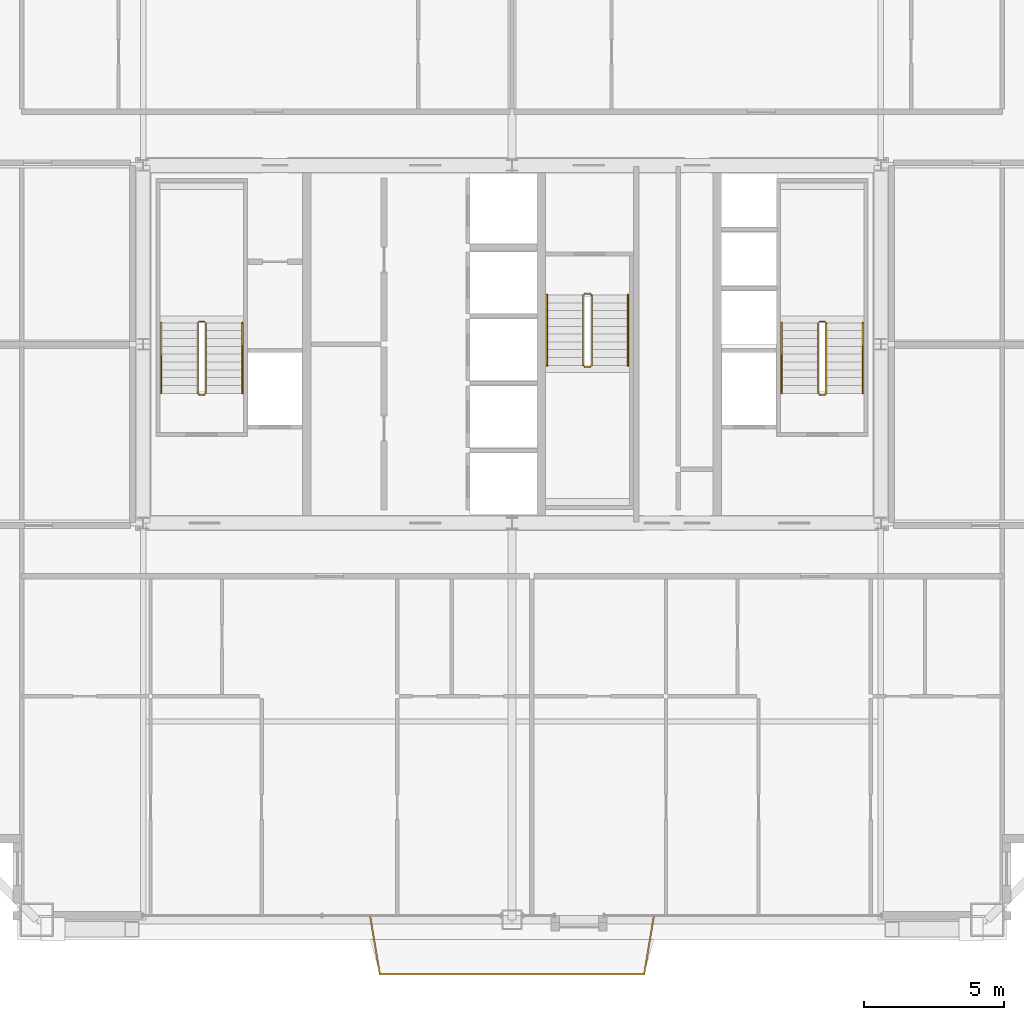
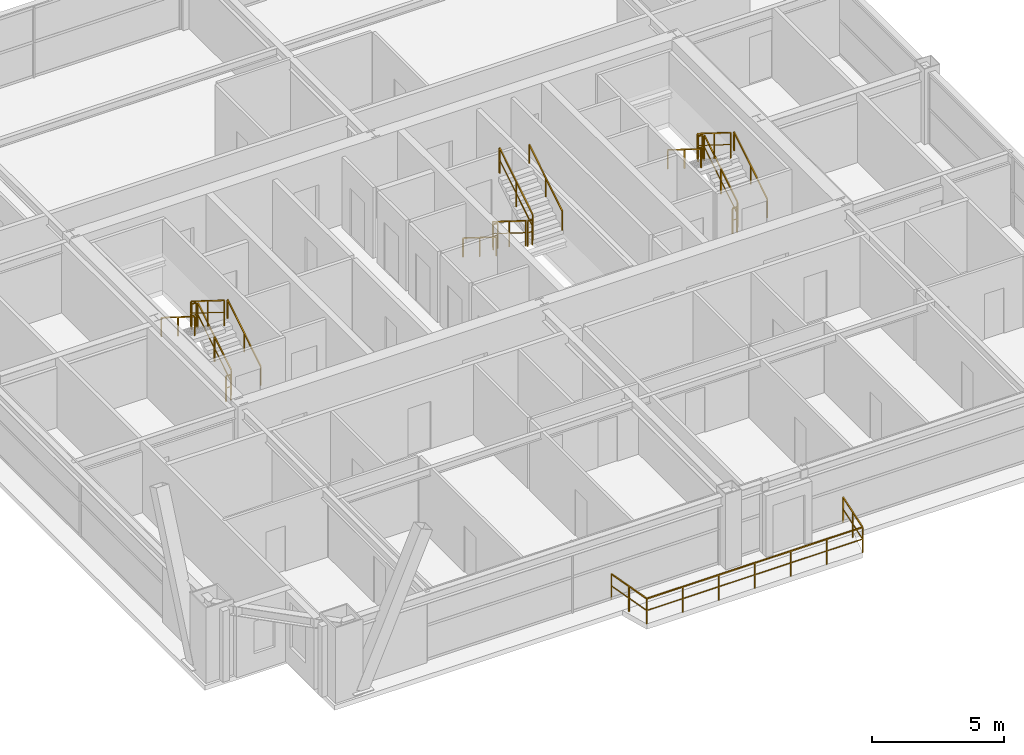
# One storey, part 35 of 35: 19 railings.
"""IFC4 building model written with IfcOpenShell, lengths in metres."""

import ifcopenshell
import ifcopenshell.guid

model = None  # the IFC model being written
_history = None  # IfcOwnerHistory: only IFC2X3 demands one
_inside = {}  # id of a spatial element -> (the spatial element, [elements in it])
_under = {}  # id of a project, library or spatial element -> (it, [spatial elements below it])
_declared = {}  # id of a project -> (the project, [libraries it declares])
_typed = {}  # id of a type object -> (the type object, [elements of that type])
_made_of = {}  # id of a material, layer set ... -> (it, [elements and type objects made of it])


def new_model(schema):
    """Start an empty IFC model of exactly this schema.

    Asked for "IFC4X3", IfcOpenShell would pick the latest addendum, in which some entities
    have other attributes; the version numbers below select the first issue.
    IFC2X3 requires an IfcOwnerHistory on every rooted entity: one is made here for all.
    """
    global model, _history
    if schema == "IFC4X3":
        model = ifcopenshell.file(schema_version=(4, 3, 0, 0))
    else:
        model = ifcopenshell.file(schema=schema)
    _inside.clear()
    _under.clear()
    _declared.clear()
    _typed.clear()
    _made_of.clear()
    _history = None
    if model.schema == "IFC2X3":
        org = make("IfcOrganization", Name="unknown")
        user = make(
            "IfcPersonAndOrganization",
            ThePerson=make("IfcPerson", FamilyName="unknown"),
            TheOrganization=org,
        )
        app = make(
            "IfcApplication",
            ApplicationDeveloper=org,
            Version="unknown",
            ApplicationFullName="unknown",
            ApplicationIdentifier="unknown",
        )
        _history = make(
            "IfcOwnerHistory",
            OwningUser=user,
            OwningApplication=app,
            ChangeAction="ADDED",
            CreationDate=0,
        )
    return model


def make(cls, **values):
    """One entity of the class cls with the attributes given. An attribute that is None is left unset."""
    return model.create_entity(
        cls, **{name: value for name, value in values.items() if value is not None}
    )


def rooted(cls, **values):
    """An entity with a GlobalId (a new one), such as an element, a storey or a relation."""
    return make(cls, GlobalId=ifcopenshell.guid.new(), OwnerHistory=_history, **values)


def si_unit(unit_type, name, prefix=None):
    """IfcSIUnit, for example si_unit("LENGTHUNIT", "METRE", prefix="MILLI")."""
    return make("IfcSIUnit", UnitType=unit_type, Prefix=prefix, Name=name)


def assignment(units):
    """IfcUnitAssignment: the units of a project."""
    return None if units is None else make("IfcUnitAssignment", Units=units)


def point(xyz):
    """IfcCartesianPoint."""
    return None if xyz is None else make("IfcCartesianPoint", Coordinates=xyz)


def direction(xyz):
    """IfcDirection."""
    return None if xyz is None else make("IfcDirection", DirectionRatios=xyz)


def frame(location, z_axis=None, x_axis=None):
    """IfcAxis2Placement3D, a coordinate frame: its origin and axes. An axis left out is left unset."""
    return make(
        "IfcAxis2Placement3D",
        Location=point(location),
        Axis=direction(z_axis),
        RefDirection=direction(x_axis),
    )


def frame_2d(location, x_axis=None):
    """IfcAxis2Placement2D, a coordinate frame in the plane: its origin and x axis."""
    return make(
        "IfcAxis2Placement2D", Location=point(location), RefDirection=direction(x_axis)
    )


def origin():
    """The frame at (0, 0, 0) with its axes left unset."""
    return frame((0.0, 0.0, 0.0))


def origin_2d():
    """The frame at (0, 0) in the plane with its x axis left unset."""
    return frame_2d((0.0, 0.0))


def place(relative_to, where):
    """IfcLocalPlacement: puts the frame where relative to a parent placement (None: the world)."""
    return make(
        "IfcLocalPlacement", PlacementRelTo=relative_to, RelativePlacement=where
    )


def context(
    kind, dimensions, precision=None, world=None, true_north=None, identifier=None
):
    """IfcGeometricRepresentationContext, for example the 3D "Model" context."""
    return make(
        "IfcGeometricRepresentationContext",
        ContextIdentifier=identifier,
        ContextType=kind,
        CoordinateSpaceDimension=dimensions,
        Precision=precision,
        WorldCoordinateSystem=world,
        TrueNorth=true_north,
    )


def subcontext(parent, identifier, kind, view, scale=None):
    """IfcGeometricRepresentationSubContext, for example "Body" below "Model"."""
    return make(
        "IfcGeometricRepresentationSubContext",
        ContextIdentifier=identifier,
        ContextType=kind,
        ParentContext=parent,
        TargetScale=scale,
        TargetView=view,
    )


def project(units=None, contexts=None):
    """IfcProject with its units and contexts."""
    return rooted(
        "IfcProject",
        Name="project",
        RepresentationContexts=contexts,
        UnitsInContext=assignment(units),
    )


def spatial(cls, under=None, at=None, **own):
    """A site, building, storey or space (cls), placed at a placement, below another one or the project."""
    s = rooted(cls, ObjectPlacement=at, **own)
    if under is not None:
        _under.setdefault(under.id(), (under, []))[1].append(s)
    return s


def profile(cls, at=None, kind="AREA", **sizes):
    """A parametric profile (cls). Its sizes go by their IFC names, for example OverallWidth=200.0."""
    return make(cls, ProfileType=kind, Position=at, **sizes)


def rectangle(**sizes):
    """IfcRectangleProfileDef."""
    return profile("IfcRectangleProfileDef", **sizes)


def extrude(swept, where, along, depth):
    """IfcExtrudedAreaSolid: the profile swept, set in the frame where, extruded along a direction by depth."""
    return make(
        "IfcExtrudedAreaSolid",
        SweptArea=swept,
        Position=where,
        ExtrudedDirection=direction(along),
        Depth=depth,
    )


def shape(context_of_items, identifier, shape_type, items):
    """IfcShapeRepresentation: the items that make up one representation, for example the "Body"."""
    return make(
        "IfcShapeRepresentation",
        ContextOfItems=context_of_items,
        RepresentationIdentifier=identifier,
        RepresentationType=shape_type,
        Items=items,
    )


def source(mapping_origin, context_of_items, identifier, shape_type, items):
    """IfcRepresentationMap: a shape defined once, which mapped items show again and again."""
    return make(
        "IfcRepresentationMap",
        MappingOrigin=mapping_origin,
        MappedRepresentation=shape(context_of_items, identifier, shape_type, items),
    )


def transform(
    local_origin,
    x_axis=None,
    y_axis=None,
    z_axis=None,
    scale=None,
    scale2=None,
    scale3=None,
    uniform=True,
):
    """IfcCartesianTransformationOperator3D, or its non-uniform kind. x_axis, y_axis, z_axis: its Axis1, 2, 3."""
    if uniform:
        return make(
            "IfcCartesianTransformationOperator3D",
            Axis1=direction(x_axis),
            Axis2=direction(y_axis),
            LocalOrigin=point(local_origin),
            Scale=scale,
            Axis3=direction(z_axis),
        )
    return make(
        "IfcCartesianTransformationOperator3DnonUniform",
        Axis1=direction(x_axis),
        Axis2=direction(y_axis),
        LocalOrigin=point(local_origin),
        Scale=scale,
        Axis3=direction(z_axis),
        Scale2=scale2,
        Scale3=scale3,
    )


def mapped(mapping_source, mapping_target):
    """IfcMappedItem: shows the shape of a source again, moved by a transform."""
    return make(
        "IfcMappedItem", MappingSource=mapping_source, MappingTarget=mapping_target
    )


def material(Name=None, Category=None):
    """IfcMaterial."""
    return make("IfcMaterial", Name=Name, Category=Category)


def layer(
    of_material, thickness, ventilated=None, Name=None, Category=None, Priority=None
):
    """IfcMaterialLayer: one layer of a wall or slab, of a material (None: an air gap)."""
    return make(
        "IfcMaterialLayer",
        Material=of_material,
        LayerThickness=thickness,
        IsVentilated=ventilated,
        Name=Name,
        Category=Category,
        Priority=Priority,
    )


def layer_set(layers, Name=None):
    """IfcMaterialLayerSet."""
    return make("IfcMaterialLayerSet", MaterialLayers=layers, LayerSetName=Name)


def made_of(thing, what):
    """Note that an element or type object is made of a material, layer set ...; save() writes the relation."""
    if what is not None:
        _made_of.setdefault(what.id(), (what, []))[1].append(thing)
    return thing


def type_object(cls, material=None, **own):
    """A type object (cls), such as IfcWallType, which elements share."""
    return made_of(rooted(cls, **own), material)


def element(
    cls,
    number,
    at=None,
    inside=None,
    cuts=None,
    type_object=None,
    material=None,
    context=None,
    identifier="Body",
    shape_type=None,
    held_by="IfcProductDefinitionShape",
    body=None,
    shapes=None,
    **own,
):
    """One element of the class cls, such as IfcWall. Its Tag is "e" and its number.

    at: its placement. inside: the storey or other place that contains it. cuts: it is an
    opening in that element (IfcRelVoidsElement). A single representation is given by context,
    identifier, shape_type and body (its items); several are given by shapes. held_by: the class
    of the entity that holds the representations. save() writes the other relations.
    """
    e = rooted(cls, Tag="e%d" % number, ObjectPlacement=at, **own)
    if body is not None:
        shapes = [shape(context, identifier, shape_type, body)]
    if shapes is not None:
        e.Representation = make(held_by, Representations=shapes)
    if inside is not None:
        _inside.setdefault(inside.id(), (inside, []))[1].append(e)
    if cuts is not None:
        rooted(
            "IfcRelVoidsElement", RelatingBuildingElement=cuts, RelatedOpeningElement=e
        )
    if type_object is not None:
        _typed.setdefault(type_object.id(), (type_object, []))[1].append(e)
    return made_of(e, material)


def aggregate(whole, parts):
    """IfcRelAggregates: a whole, such as a stair, and the parts it consists of."""
    return rooted("IfcRelAggregates", RelatingObject=whole, RelatedObjects=parts)


def save(model, path):
    """Write the relations noted so far, then the file.

    IfcRelAggregates (storeys below a building ...), IfcRelContainedInSpatialStructure (elements
    in a storey), IfcRelDefinesByType, IfcRelAssociatesMaterial and IfcRelDeclares: one each for
    every whole, place, type object, material and project.
    """
    for whole, parts in _under.values():
        aggregate(whole, parts)
    for where, things in _inside.values():
        rooted(
            "IfcRelContainedInSpatialStructure",
            RelatedElements=things,
            RelatingStructure=where,
        )
    for kind, things in _typed.values():
        rooted("IfcRelDefinesByType", RelatedObjects=things, RelatingType=kind)
    for what, things in _made_of.values():
        rooted("IfcRelAssociatesMaterial", RelatedObjects=things, RelatingMaterial=what)
    for by, libraries in _declared.values():
        rooted("IfcRelDeclares", RelatingContext=by, RelatedDefinitions=libraries)
    model.write(path)


model = new_model("IFC4")

# Units and contexts
model_context = context("Model", 3, precision=1e-05, world=origin(), true_north=direction((0.0, 1.0)))
body_context = subcontext(model_context, "Body", "Model", "MODEL_VIEW")
ifc_project = project(units=[si_unit("LENGTHUNIT", "METRE"), si_unit("AREAUNIT", "SQUARE_METRE"), si_unit("VOLUMEUNIT", "CUBIC_METRE"), si_unit("PLANEANGLEUNIT", "RADIAN"), si_unit("MASSUNIT", "GRAM", prefix="KILO"), si_unit("THERMODYNAMICTEMPERATUREUNIT", "KELVIN"), si_unit("POWERUNIT", "WATT")], contexts=[model_context])

# Site, building, storey
site_placement = place(None, origin())
site = spatial("IfcSite", under=ifc_project, at=site_placement, CompositionType="ELEMENT")
building_placement = place(site_placement, origin())
building = spatial("IfcBuilding", under=site, at=building_placement, Name="Yuzanri Waterfront Tower", CompositionType="ELEMENT")
storey_placement = place(building_placement, frame((0.0, 0.0, 227.60009765625)))
storey = spatial("IfcBuildingStorey", under=building, at=storey_placement, Name="L60", CompositionType="ELEMENT", Elevation=227.60009765625)

# Railings
ifc_material_1 = material(Name="Anodized Architectural Bronze", Category="metal")
ifc_layer_1 = layer(ifc_material_1, 0.080078125)
ifc_layer_set_1 = layer_set([ifc_layer_1], Name="Anodized Architectural Bronze")
railing_type_1 = type_object("IfcRailingType", Name="Laminated Glass and Bronze Balcony Guardrail 1200", PredefinedType="BALUSTRADE", material=ifc_layer_set_1)
shared_shape_1 = source(origin(), body_context, "Body", "SweptSolid", [
    extrude(rectangle(XDim=0.050048828125, YDim=0.050048828125, at=origin_2d()), frame((0.0, 0.0, 1.1748046875), z_axis=(0.164510607156, -0.986375314033, 0.0), x_axis=(0.986375314033, 0.164510607156, 0.0)), (0.0, 0.0, 1.0), 2.128173828125),
    extrude(rectangle(XDim=0.035888671875, YDim=0.030029296875, at=origin_2d()), frame((0.0, 0.0, 0.6240234375), z_axis=(0.164510607156, -0.986375314033, 0.0), x_axis=(0.986375314033, 0.164510607156, 0.0)), (0.0, 0.0, 1.0), 2.128173828125),
    extrude(rectangle(XDim=0.050048828125, YDim=0.050048828125, at=origin_2d()), frame((0.35009765625, -2.09912109375, 1.1748046875), z_axis=(1.0, 0.0, 0.0), x_axis=(0.0, 1.0, 0.0)), (0.0, 0.0, 1.0), 9.4599609375),
    extrude(rectangle(XDim=0.035888671875, YDim=0.030029296875, at=origin_2d()), frame((0.35009765625, -2.09912109375, 0.6240234375), z_axis=(1.0, 0.0, 0.0), x_axis=(0.0, 1.0, 0.0)), (0.0, 0.0, 1.0), 9.4599609375),
    extrude(rectangle(XDim=0.050048828125, YDim=0.050048828125, at=origin_2d()), frame((9.81005859375, -2.09912109375, 1.1748046875), z_axis=(0.164510607156, 0.986375314033, 0.0), x_axis=(-0.986375314033, 0.164510607156, 0.0)), (0.0, 0.0, 1.0), 2.128173828125),
    extrude(rectangle(XDim=0.035888671875, YDim=0.030029296875, at=origin_2d()), frame((9.81005859375, -2.09912109375, 0.6240234375), z_axis=(0.164510607156, 0.986375314033, 0.0), x_axis=(-0.986375314033, 0.164510607156, 0.0)), (0.0, 0.0, 1.0), 2.128173828125),
    extrude(rectangle(XDim=0.0458984375, YDim=0.0458984375, at=origin_2d()), origin(), (0.0, 0.0, 1.0), 1.14990234375),
    extrude(rectangle(XDim=0.0458984375, YDim=0.0458984375, at=origin_2d()), frame((0.175048828125, -1.049560546875, 0.0)), (0.0, 0.0, 1.0), 1.14990234375),
    extrude(rectangle(XDim=0.0458984375, YDim=0.0458984375, at=origin_2d()), frame((0.35009765625, -2.09912109375, 0.0)), (0.0, 0.0, 1.0), 1.14990234375),
    extrude(rectangle(XDim=0.0458984375, YDim=0.0458984375, at=origin_2d()), frame((1.9267578125, -2.09912109375, 0.0)), (0.0, 0.0, 1.0), 1.14990234375),
    extrude(rectangle(XDim=0.0458984375, YDim=0.0458984375, at=origin_2d()), frame((3.50341796875, -2.09912109375, 0.0)), (0.0, 0.0, 1.0), 1.14990234375),
    extrude(rectangle(XDim=0.0458984375, YDim=0.0458984375, at=origin_2d()), frame((5.080078125, -2.09912109375, 0.0)), (0.0, 0.0, 1.0), 1.14990234375),
    extrude(rectangle(XDim=0.0458984375, YDim=0.0458984375, at=origin_2d()), frame((6.65673828125, -2.09912109375, 0.0)), (0.0, 0.0, 1.0), 1.14990234375),
    extrude(rectangle(XDim=0.0458984375, YDim=0.0458984375, at=origin_2d()), frame((8.2333984375, -2.09912109375, 0.0)), (0.0, 0.0, 1.0), 1.14990234375),
    extrude(rectangle(XDim=0.0458984375, YDim=0.0458984375, at=origin_2d()), frame((9.81005859375, -2.09912109375, 0.0)), (0.0, 0.0, 1.0), 1.14990234375),
    extrude(rectangle(XDim=0.0458984375, YDim=0.0458984375, at=origin_2d()), frame((9.985107421875, -1.049560546875, 0.0)), (0.0, 0.0, 1.0), 1.14990234375),
    extrude(rectangle(XDim=0.0458984375, YDim=0.0458984375, at=origin_2d()), frame((10.16015625, 0.0, 0.0)), (0.0, 0.0, 1.0), 1.14990234375),
])
railing_placement = place(storey_placement, frame((31.919921875, 5.35009765625, 0.0)))
element("IfcRailing", 1, at=railing_placement, inside=storey, type_object=railing_type_1, Name="L60 S Engawa Terrace Guardrail", PredefinedType="BALUSTRADE", context=body_context, shape_type="MappedRepresentation", body=[
    mapped(shared_shape_1, transform((0.0, 0.0, 0.0), scale=1.0)),
])
ifc_material_2 = material(Name="Painted Galvanized Fire Steel", Category="steel")
ifc_layer_2 = layer(ifc_material_2, 0.06005859375)
ifc_layer_set_2 = layer_set([ifc_layer_2], Name="Painted Galvanized Fire Steel")
railing_type_2 = type_object("IfcRailingType", Name="Painted Steel Stairwell Guardrail 1120", PredefinedType="GUARDRAIL", material=ifc_layer_set_2)
shared_shape_2 = source(origin(), body_context, "Body", "SweptSolid", [
    extrude(rectangle(XDim=0.050048828125, YDim=0.050048828125, at=origin_2d()), frame((0.0, 0.0, 1.1748046875), z_axis=(-1.0, 0.0, 0.0), x_axis=(0.0, -1.0, 0.0)), (0.0, 0.0, 1.0), 0.199951171875),
    extrude(rectangle(XDim=0.035888671875, YDim=0.030029296875, at=origin_2d()), frame((0.0, 0.0, 0.6240234375), z_axis=(-1.0, 0.0, 0.0), x_axis=(0.0, -1.0, 0.0)), (0.0, 0.0, 1.0), 0.199951171875),
    extrude(rectangle(XDim=0.0458984375, YDim=0.0458984375, at=origin_2d()), origin(), (0.0, 0.0, 1.0), 1.14990234375),
    extrude(rectangle(XDim=0.0458984375, YDim=0.0458984375, at=origin_2d()), frame((-0.199951171875, 0.0, 0.0)), (0.0, 0.0, 1.0), 1.14990234375),
])
for number, where, name in (
    (2, (26.0, 26.610107421875, 1.75), "L60 ST-01 stair guard 2"),
    (3, (26.0, 23.989990234375, 0.0), "L60 ST-01 stair guard 4"),
    (4, (48.199951171875, 26.610107421875, 1.75), "L60 ST-02 stair guard 2"),
    (5, (48.199951171875, 23.989990234375, 0.0), "L60 ST-02 stair guard 4"),
):
    element("IfcRailing", number, at=place(storey_placement, frame(where)), inside=storey, type_object=railing_type_2, Name=name, PredefinedType="GUARDRAIL", context=body_context, shape_type="MappedRepresentation", body=[
        mapped(shared_shape_2, transform((0.0, 0.0, 0.0), scale=1.0)),
    ])
shared_shape_3 = source(origin(), body_context, "Body", "SweptSolid", [
    extrude(rectangle(XDim=0.050048828125, YDim=0.050048828125, at=origin_2d()), frame((0.0, 0.0, 1.1748046875), z_axis=(0.0, 0.847970611238, 0.530043245855), x_axis=(-1.0, 0.0, 0.0)), (0.0, 0.0, 1.0), 2.971923828125),
    extrude(rectangle(XDim=0.035888671875, YDim=0.030029296875, at=origin_2d()), frame((0.0, 0.0, 0.6240234375), z_axis=(0.0, 0.847970611238, 0.530043245855), x_axis=(-1.0, 0.0, 0.0)), (0.0, 0.0, 1.0), 2.971923828125),
    extrude(rectangle(XDim=0.0458984375, YDim=0.0458984375, at=origin_2d()), origin(), (0.0, 0.0, 1.0), 1.14990234375),
    extrude(rectangle(XDim=0.0458984375, YDim=0.0458984375, at=origin_2d()), frame((0.0, 1.260009765625, 0.78759765625)), (0.0, 0.0, 1.0), 1.14990234375),
    extrude(rectangle(XDim=0.0458984375, YDim=0.0458984375, at=origin_2d()), frame((0.0, 2.52001953125, 1.5751953125)), (0.0, 0.0, 1.0), 1.14990234375),
])
for number, where, name in (
    (6, (26.050048828125, 24.0400390625, 0.1748046875), "L60 ST-01 stair guard 1"),
    (7, (48.25, 24.0400390625, 0.1748046875), "L60 ST-02 stair guard 1"),
    (8, (39.85009765625, 25.0400390625, 1.9248046875), "L60 ST-03 stair guard 3"),
):
    element("IfcRailing", number, at=place(storey_placement, frame(where)), inside=storey, type_object=railing_type_2, Name=name, PredefinedType="GUARDRAIL", context=body_context, shape_type="MappedRepresentation", body=[
        mapped(shared_shape_3, transform((0.0, 0.0, 0.0), scale=1.0)),
    ])
shared_shape_4 = source(origin(), body_context, "Body", "SweptSolid", [
    extrude(rectangle(XDim=0.050048828125, YDim=0.050048828125, at=origin_2d()), frame((0.0, 0.0, 1.1748046875), z_axis=(0.0, -0.847970611238, 0.530043245855), x_axis=(1.0, 0.0, 0.0)), (0.0, 0.0, 1.0), 2.971923828125),
    extrude(rectangle(XDim=0.035888671875, YDim=0.030029296875, at=origin_2d()), frame((0.0, 0.0, 0.6240234375), z_axis=(0.0, -0.847970611238, 0.530043245855), x_axis=(1.0, 0.0, 0.0)), (0.0, 0.0, 1.0), 2.971923828125),
    extrude(rectangle(XDim=0.0458984375, YDim=0.0458984375, at=origin_2d()), origin(), (0.0, 0.0, 1.0), 1.14990234375),
    extrude(rectangle(XDim=0.0458984375, YDim=0.0458984375, at=origin_2d()), frame((0.0, -1.260009765625, 0.78759765625)), (0.0, 0.0, 1.0), 1.14990234375),
    extrude(rectangle(XDim=0.0458984375, YDim=0.0458984375, at=origin_2d()), frame((0.0, -2.52001953125, 1.5751953125)), (0.0, 0.0, 1.0), 1.14990234375),
])
for number, where, name in (
    (9, (25.75, 26.56005859375, 1.9248046875), "L60 ST-01 stair guard 3"),
    (10, (47.949951171875, 26.56005859375, 1.9248046875), "L60 ST-02 stair guard 3"),
    (11, (39.550048828125, 27.56005859375, 0.1748046875), "L60 ST-03 stair guard 1"),
):
    element("IfcRailing", number, at=place(storey_placement, frame(where)), inside=storey, type_object=railing_type_2, Name=name, PredefinedType="GUARDRAIL", context=body_context, shape_type="MappedRepresentation", body=[
        mapped(shared_shape_4, transform((0.0, 0.0, 0.0), scale=1.0)),
    ])
ifc_material_3 = material(Name="Anodized Architectural Bronze", Category="metal")
ifc_layer_3 = layer(ifc_material_3, 0.050048828125)
ifc_layer_set_3 = layer_set([ifc_layer_3], Name="Anodized Architectural Bronze")
railing_type_3 = type_object("IfcRailingType", Name="Brushed Bronze Stair Pitch Handrail 920", PredefinedType="HANDRAIL", material=ifc_layer_set_3)
shared_shape_5 = source(origin(), body_context, "Body", "SweptSolid", [
    extrude(rectangle(XDim=0.050048828125, YDim=0.050048828125, at=origin_2d()), frame((0.0, 0.0, 0.875), z_axis=(0.0, 0.847970611238, 0.530043245855), x_axis=(-1.0, 0.0, 0.0)), (0.0, 0.0, 1.0), 2.971923828125),
    extrude(rectangle(XDim=0.0458984375, YDim=0.0458984375, at=origin_2d()), origin(), (0.0, 0.0, 1.0), 0.849853515625),
    extrude(rectangle(XDim=0.0458984375, YDim=0.0458984375, at=origin_2d()), frame((0.0, 1.260009765625, 0.78759765625)), (0.0, 0.0, 1.0), 0.849853515625),
    extrude(rectangle(XDim=0.0458984375, YDim=0.0458984375, at=origin_2d()), frame((0.0, 2.52001953125, 1.5751953125)), (0.0, 0.0, 1.0), 0.849853515625),
])
for number, where, name in (
    (12, (27.35009765625, 24.0400390625, 0.1748046875), "L60 ST-01 stair handrail 1"),
    (13, (49.550048828125, 24.0400390625, 0.1748046875), "L60 ST-02 stair handrail 1"),
    (14, (41.14990234375, 25.0400390625, 1.9248046875), "L60 ST-03 stair handrail 2"),
):
    element("IfcRailing", number, at=place(storey_placement, frame(where)), inside=storey, type_object=railing_type_3, Name=name, PredefinedType="HANDRAIL", context=body_context, shape_type="MappedRepresentation", body=[
        mapped(shared_shape_5, transform((0.0, 0.0, 0.0), scale=1.0)),
    ])
shared_shape_6 = source(origin(), body_context, "Body", "SweptSolid", [
    extrude(rectangle(XDim=0.050048828125, YDim=0.050048828125, at=origin_2d()), frame((0.0, 0.0, 0.875), z_axis=(0.0, -0.847970611238, 0.530043245855), x_axis=(1.0, 0.0, 0.0)), (0.0, 0.0, 1.0), 2.971923828125),
    extrude(rectangle(XDim=0.0458984375, YDim=0.0458984375, at=origin_2d()), origin(), (0.0, 0.0, 1.0), 0.849853515625),
    extrude(rectangle(XDim=0.0458984375, YDim=0.0458984375, at=origin_2d()), frame((0.0, -1.260009765625, 0.78759765625)), (0.0, 0.0, 1.0), 0.849853515625),
    extrude(rectangle(XDim=0.0458984375, YDim=0.0458984375, at=origin_2d()), frame((0.0, -2.52001953125, 1.5751953125)), (0.0, 0.0, 1.0), 0.849853515625),
])
for number, where, name in (
    (15, (24.449951171875, 26.56005859375, 1.9248046875), "L60 ST-01 stair handrail 2"),
    (16, (46.64990234375, 26.56005859375, 1.9248046875), "L60 ST-02 stair handrail 2"),
    (17, (38.25, 27.56005859375, 0.1748046875), "L60 ST-03 stair handrail 1"),
):
    element("IfcRailing", number, at=place(storey_placement, frame(where)), inside=storey, type_object=railing_type_3, Name=name, PredefinedType="HANDRAIL", context=body_context, shape_type="MappedRepresentation", body=[
        mapped(shared_shape_6, transform((0.0, 0.0, 0.0), scale=1.0)),
    ])
shared_shape_7 = source(origin(), body_context, "Body", "SweptSolid", [
    extrude(rectangle(XDim=0.050048828125, YDim=0.050048828125, at=origin_2d()), frame((0.0, 0.0, 1.1748046875), z_axis=(1.0, 0.0, 0.0), x_axis=(0.0, 1.0, 0.0)), (0.0, 0.0, 1.0), 0.199951171875),
    extrude(rectangle(XDim=0.035888671875, YDim=0.030029296875, at=origin_2d()), frame((0.0, 0.0, 0.6240234375), z_axis=(1.0, 0.0, 0.0), x_axis=(0.0, 1.0, 0.0)), (0.0, 0.0, 1.0), 0.199951171875),
    extrude(rectangle(XDim=0.0458984375, YDim=0.0458984375, at=origin_2d()), origin(), (0.0, 0.0, 1.0), 1.14990234375),
    extrude(rectangle(XDim=0.0458984375, YDim=0.0458984375, at=origin_2d()), frame((0.199951171875, 0.0, 0.0)), (0.0, 0.0, 1.0), 1.14990234375),
])
for number, where, name in (
    (18, (39.60009765625, 24.989990234375, 1.75), "L60 ST-03 stair guard 2"),
    (19, (39.60009765625, 27.610107421875, 0.0), "L60 ST-03 stair guard 4"),
):
    element("IfcRailing", number, at=place(storey_placement, frame(where)), inside=storey, type_object=railing_type_2, Name=name, PredefinedType="GUARDRAIL", context=body_context, shape_type="MappedRepresentation", body=[
        mapped(shared_shape_7, transform((0.0, 0.0, 0.0), scale=1.0)),
    ])

save(model, "model.ifc")
